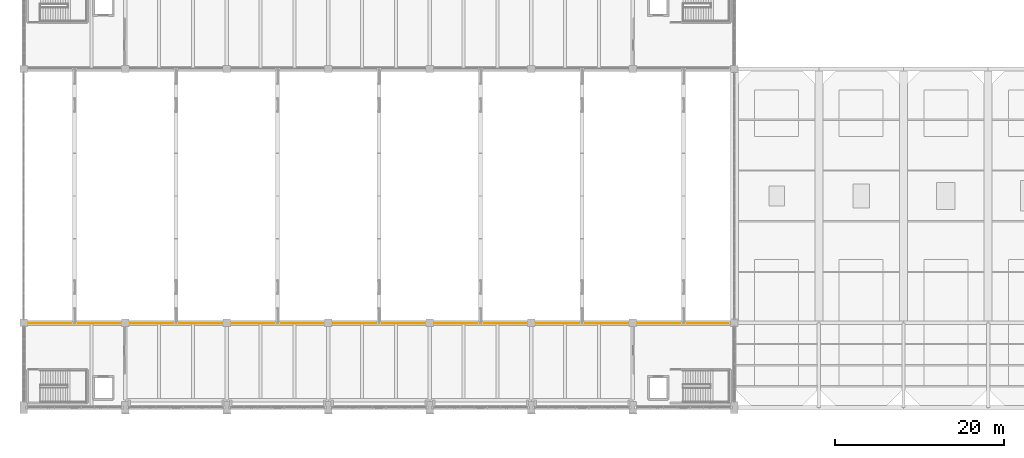
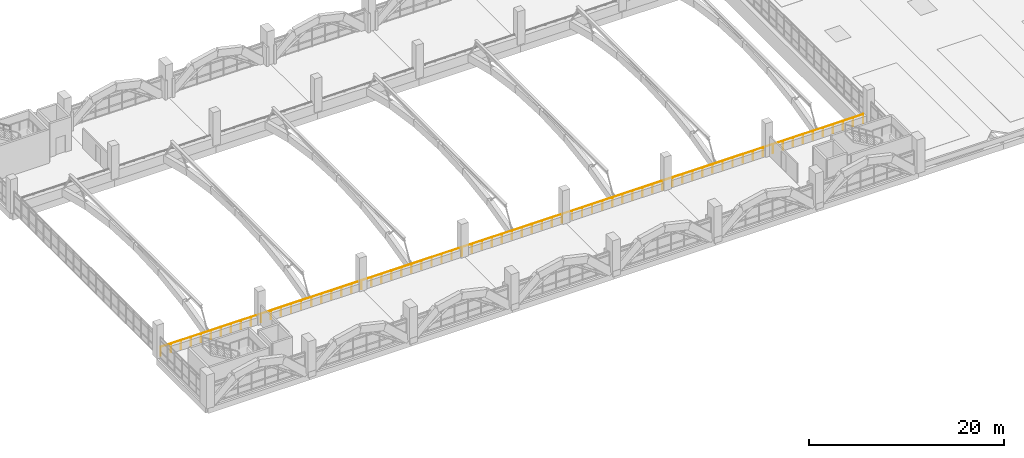
# One storey, part 154 of 161: 1 railing.
"""IFC4 building model written with IfcOpenShell, lengths in metres."""

from ifc_helpers import new_model, si_unit, direction, frame, origin, origin_2d, place, context, subcontext, project, spatial, circle, extrude, material, type_object, element, save


model = new_model("IFC4")

# Units and contexts
model_context = context("Model", 3, precision=1e-05, world=origin(), true_north=direction((0.0, 1.0)))
body_context = subcontext(model_context, "Body", "Model", "MODEL_VIEW")
ifc_project = project(units=[si_unit("LENGTHUNIT", "METRE"), si_unit("AREAUNIT", "SQUARE_METRE"), si_unit("VOLUMEUNIT", "CUBIC_METRE"), si_unit("PLANEANGLEUNIT", "RADIAN"), si_unit("MASSUNIT", "GRAM", prefix="KILO")], contexts=[model_context])

# Site, building, storey
site_placement = place(None, origin())
site = spatial("IfcSite", under=ifc_project, at=site_placement, CompositionType="ELEMENT")
building_placement = place(site_placement, origin())
building = spatial("IfcBuilding", under=site, at=building_placement, Name="Mersad Railyard Sports Hall", CompositionType="ELEMENT")
storey_placement = place(building_placement, frame((0.0, 0.0, 4.800048828125)))
storey = spatial("IfcBuildingStorey", under=building, at=storey_placement, Name="L01", CompositionType="ELEMENT", Elevation=4.800048828125)

# Railing
ifc_material = material(Name="Steel S355", Category="steel")
railing_type = type_object("IfcRailingType", Name="ARC-RL-GR01", PredefinedType="GUARDRAIL", material=ifc_material)
railing_placement = place(storey_placement, frame((7.25, 13.419921875, 0.0)))
element("IfcRailing", 1, at=railing_placement, inside=storey, type_object=railing_type, Name="Interior guard GR01-0180", PredefinedType="GUARDRAIL", context=body_context, shape_type="SweptSolid", body=[
    extrude(circle(Radius=0.02392578125, at=origin_2d()), frame((0.0, 0.0, 1.09619140625), z_axis=(1.0, 0.0, 0.0), x_axis=(0.0, 1.0, 0.0)), (0.0, 0.0, 1.0), 83.050048828125),
    extrude(circle(Radius=0.02099609375, at=origin_2d()), origin(), (0.0, 0.0, 1.0), 1.072021484375),
    extrude(circle(Radius=0.02099609375, at=origin_2d()), frame((1.1865234375, 0.0, 0.0)), (0.0, 0.0, 1.0), 1.072021484375),
    extrude(circle(Radius=0.02099609375, at=origin_2d()), frame((2.372802734375, 0.0, 0.0)), (0.0, 0.0, 1.0), 1.072021484375),
    extrude(circle(Radius=0.02099609375, at=origin_2d()), frame((3.559326171875, 0.0, 0.0)), (0.0, 0.0, 1.0), 1.072021484375),
    extrude(circle(Radius=0.02099609375, at=origin_2d()), frame((4.74560546875, 0.0, 0.0)), (0.0, 0.0, 1.0), 1.072021484375),
    extrude(circle(Radius=0.02099609375, at=origin_2d()), frame((5.93212890625, 0.0, 0.0)), (0.0, 0.0, 1.0), 1.072021484375),
    extrude(circle(Radius=0.02099609375, at=origin_2d()), frame((7.11865234375, 0.0, 0.0)), (0.0, 0.0, 1.0), 1.072021484375),
    extrude(circle(Radius=0.02099609375, at=origin_2d()), frame((8.304931640625, 0.0, 0.0)), (0.0, 0.0, 1.0), 1.072021484375),
    extrude(circle(Radius=0.02099609375, at=origin_2d()), frame((9.491455078125, 0.0, 0.0)), (0.0, 0.0, 1.0), 1.072021484375),
    extrude(circle(Radius=0.02099609375, at=origin_2d()), frame((10.677978515625, 0.0, 0.0)), (0.0, 0.0, 1.0), 1.072021484375),
    extrude(circle(Radius=0.02099609375, at=origin_2d()), frame((11.8642578125, 0.0, 0.0)), (0.0, 0.0, 1.0), 1.072021484375),
    extrude(circle(Radius=0.02099609375, at=origin_2d()), frame((13.05078125, 0.0, 0.0)), (0.0, 0.0, 1.0), 1.072021484375),
    extrude(circle(Radius=0.02099609375, at=origin_2d()), frame((14.237060546875, 0.0, 0.0)), (0.0, 0.0, 1.0), 1.072021484375),
    extrude(circle(Radius=0.02099609375, at=origin_2d()), frame((15.423583984375, 0.0, 0.0)), (0.0, 0.0, 1.0), 1.072021484375),
    extrude(circle(Radius=0.02099609375, at=origin_2d()), frame((16.610107421875, 0.0, 0.0)), (0.0, 0.0, 1.0), 1.072021484375),
    extrude(circle(Radius=0.02099609375, at=origin_2d()), frame((17.79638671875, 0.0, 0.0)), (0.0, 0.0, 1.0), 1.072021484375),
    extrude(circle(Radius=0.02099609375, at=origin_2d()), frame((18.98291015625, 0.0, 0.0)), (0.0, 0.0, 1.0), 1.072021484375),
    extrude(circle(Radius=0.02099609375, at=origin_2d()), frame((20.169189453125, 0.0, 0.0)), (0.0, 0.0, 1.0), 1.072021484375),
    extrude(circle(Radius=0.02099609375, at=origin_2d()), frame((21.355712890625, 0.0, 0.0)), (0.0, 0.0, 1.0), 1.072021484375),
    extrude(circle(Radius=0.02099609375, at=origin_2d()), frame((22.542236328125, 0.0, 0.0)), (0.0, 0.0, 1.0), 1.072021484375),
    extrude(circle(Radius=0.02099609375, at=origin_2d()), frame((23.728515625, 0.0, 0.0)), (0.0, 0.0, 1.0), 1.072021484375),
    extrude(circle(Radius=0.02099609375, at=origin_2d()), frame((24.9150390625, 0.0, 0.0)), (0.0, 0.0, 1.0), 1.072021484375),
    extrude(circle(Radius=0.02099609375, at=origin_2d()), frame((26.1015625, 0.0, 0.0)), (0.0, 0.0, 1.0), 1.072021484375),
    extrude(circle(Radius=0.02099609375, at=origin_2d()), frame((27.287841796875, 0.0, 0.0)), (0.0, 0.0, 1.0), 1.072021484375),
    extrude(circle(Radius=0.02099609375, at=origin_2d()), frame((28.474365234375, 0.0, 0.0)), (0.0, 0.0, 1.0), 1.072021484375),
    extrude(circle(Radius=0.02099609375, at=origin_2d()), frame((29.66064453125, 0.0, 0.0)), (0.0, 0.0, 1.0), 1.072021484375),
    extrude(circle(Radius=0.02099609375, at=origin_2d()), frame((30.84716796875, 0.0, 0.0)), (0.0, 0.0, 1.0), 1.072021484375),
    extrude(circle(Radius=0.02099609375, at=origin_2d()), frame((32.03369140625, 0.0, 0.0)), (0.0, 0.0, 1.0), 1.072021484375),
    extrude(circle(Radius=0.02099609375, at=origin_2d()), frame((33.219970703125, 0.0, 0.0)), (0.0, 0.0, 1.0), 1.072021484375),
    extrude(circle(Radius=0.02099609375, at=origin_2d()), frame((34.406494140625, 0.0, 0.0)), (0.0, 0.0, 1.0), 1.072021484375),
    extrude(circle(Radius=0.02099609375, at=origin_2d()), frame((35.5927734375, 0.0, 0.0)), (0.0, 0.0, 1.0), 1.072021484375),
    extrude(circle(Radius=0.02099609375, at=origin_2d()), frame((36.779296875, 0.0, 0.0)), (0.0, 0.0, 1.0), 1.072021484375),
    extrude(circle(Radius=0.02099609375, at=origin_2d()), frame((37.9658203125, 0.0, 0.0)), (0.0, 0.0, 1.0), 1.072021484375),
    extrude(circle(Radius=0.02099609375, at=origin_2d()), frame((39.152099609375, 0.0, 0.0)), (0.0, 0.0, 1.0), 1.072021484375),
    extrude(circle(Radius=0.02099609375, at=origin_2d()), frame((40.338623046875, 0.0, 0.0)), (0.0, 0.0, 1.0), 1.072021484375),
    extrude(circle(Radius=0.02099609375, at=origin_2d()), frame((41.52490234375, 0.0, 0.0)), (0.0, 0.0, 1.0), 1.072021484375),
    extrude(circle(Radius=0.02099609375, at=origin_2d()), frame((42.71142578125, 0.0, 0.0)), (0.0, 0.0, 1.0), 1.072021484375),
    extrude(circle(Radius=0.02099609375, at=origin_2d()), frame((43.89794921875, 0.0, 0.0)), (0.0, 0.0, 1.0), 1.072021484375),
    extrude(circle(Radius=0.02099609375, at=origin_2d()), frame((45.084228515625, 0.0, 0.0)), (0.0, 0.0, 1.0), 1.072021484375),
    extrude(circle(Radius=0.02099609375, at=origin_2d()), frame((46.270751953125, 0.0, 0.0)), (0.0, 0.0, 1.0), 1.072021484375),
    extrude(circle(Radius=0.02099609375, at=origin_2d()), frame((47.457275390625, 0.0, 0.0)), (0.0, 0.0, 1.0), 1.072021484375),
    extrude(circle(Radius=0.02099609375, at=origin_2d()), frame((48.6435546875, 0.0, 0.0)), (0.0, 0.0, 1.0), 1.072021484375),
    extrude(circle(Radius=0.02099609375, at=origin_2d()), frame((49.830078125, 0.0, 0.0)), (0.0, 0.0, 1.0), 1.072021484375),
    extrude(circle(Radius=0.02099609375, at=origin_2d()), frame((51.016357421875, 0.0, 0.0)), (0.0, 0.0, 1.0), 1.072021484375),
    extrude(circle(Radius=0.02099609375, at=origin_2d()), frame((52.202880859375, 0.0, 0.0)), (0.0, 0.0, 1.0), 1.072021484375),
    extrude(circle(Radius=0.02099609375, at=origin_2d()), frame((53.389404296875, 0.0, 0.0)), (0.0, 0.0, 1.0), 1.072021484375),
    extrude(circle(Radius=0.02099609375, at=origin_2d()), frame((54.57568359375, 0.0, 0.0)), (0.0, 0.0, 1.0), 1.072021484375),
    extrude(circle(Radius=0.02099609375, at=origin_2d()), frame((55.76220703125, 0.0, 0.0)), (0.0, 0.0, 1.0), 1.072021484375),
    extrude(circle(Radius=0.02099609375, at=origin_2d()), frame((56.948486328125, 0.0, 0.0)), (0.0, 0.0, 1.0), 1.072021484375),
    extrude(circle(Radius=0.02099609375, at=origin_2d()), frame((58.135009765625, 0.0, 0.0)), (0.0, 0.0, 1.0), 1.072021484375),
    extrude(circle(Radius=0.02099609375, at=origin_2d()), frame((59.321533203125, 0.0, 0.0)), (0.0, 0.0, 1.0), 1.072021484375),
    extrude(circle(Radius=0.02099609375, at=origin_2d()), frame((60.5078125, 0.0, 0.0)), (0.0, 0.0, 1.0), 1.072021484375),
    extrude(circle(Radius=0.02099609375, at=origin_2d()), frame((61.6943359375, 0.0, 0.0)), (0.0, 0.0, 1.0), 1.072021484375),
    extrude(circle(Radius=0.02099609375, at=origin_2d()), frame((62.880859375, 0.0, 0.0)), (0.0, 0.0, 1.0), 1.072021484375),
    extrude(circle(Radius=0.02099609375, at=origin_2d()), frame((64.067138671875, 0.0, 0.0)), (0.0, 0.0, 1.0), 1.072021484375),
    extrude(circle(Radius=0.02099609375, at=origin_2d()), frame((65.253662109375, 0.0, 0.0)), (0.0, 0.0, 1.0), 1.072021484375),
    extrude(circle(Radius=0.02099609375, at=origin_2d()), frame((66.43994140625, 0.0, 0.0)), (0.0, 0.0, 1.0), 1.072021484375),
    extrude(circle(Radius=0.02099609375, at=origin_2d()), frame((67.62646484375, 0.0, 0.0)), (0.0, 0.0, 1.0), 1.072021484375),
    extrude(circle(Radius=0.02099609375, at=origin_2d()), frame((68.81298828125, 0.0, 0.0)), (0.0, 0.0, 1.0), 1.072021484375),
    extrude(circle(Radius=0.02099609375, at=origin_2d()), frame((69.999267578125, 0.0, 0.0)), (0.0, 0.0, 1.0), 1.072021484375),
    extrude(circle(Radius=0.02099609375, at=origin_2d()), frame((71.185791015625, 0.0, 0.0)), (0.0, 0.0, 1.0), 1.072021484375),
    extrude(circle(Radius=0.02099609375, at=origin_2d()), frame((72.3720703125, 0.0, 0.0)), (0.0, 0.0, 1.0), 1.072021484375),
    extrude(circle(Radius=0.02099609375, at=origin_2d()), frame((73.55859375, 0.0, 0.0)), (0.0, 0.0, 1.0), 1.072021484375),
    extrude(circle(Radius=0.02099609375, at=origin_2d()), frame((74.7451171875, 0.0, 0.0)), (0.0, 0.0, 1.0), 1.072021484375),
    extrude(circle(Radius=0.02099609375, at=origin_2d()), frame((75.931396484375, 0.0, 0.0)), (0.0, 0.0, 1.0), 1.072021484375),
    extrude(circle(Radius=0.02099609375, at=origin_2d()), frame((77.117919921875, 0.0, 0.0)), (0.0, 0.0, 1.0), 1.072021484375),
    extrude(circle(Radius=0.02099609375, at=origin_2d()), frame((78.304443359375, 0.0, 0.0)), (0.0, 0.0, 1.0), 1.072021484375),
    extrude(circle(Radius=0.02099609375, at=origin_2d()), frame((79.49072265625, 0.0, 0.0)), (0.0, 0.0, 1.0), 1.072021484375),
    extrude(circle(Radius=0.02099609375, at=origin_2d()), frame((80.67724609375, 0.0, 0.0)), (0.0, 0.0, 1.0), 1.072021484375),
    extrude(circle(Radius=0.02099609375, at=origin_2d()), frame((81.863525390625, 0.0, 0.0)), (0.0, 0.0, 1.0), 1.072021484375),
    extrude(circle(Radius=0.02099609375, at=origin_2d()), frame((83.050048828125, 0.0, 0.0)), (0.0, 0.0, 1.0), 1.072021484375),
])

save(model, "model.ifc")
